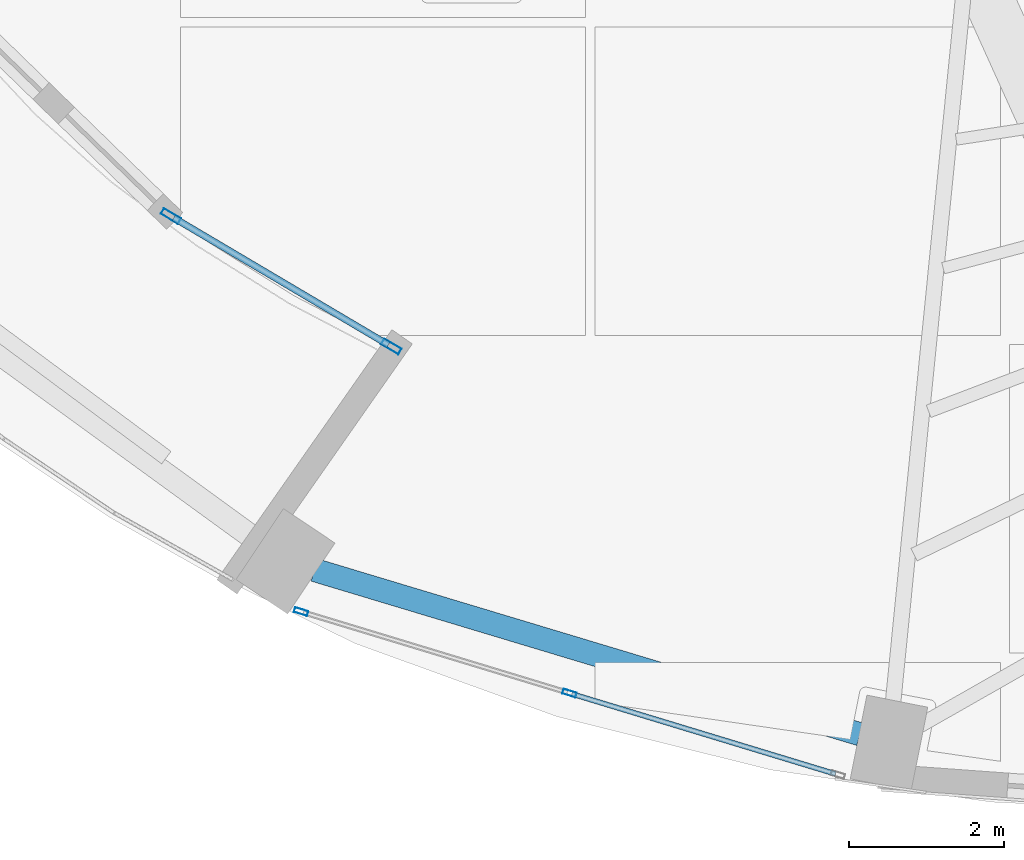
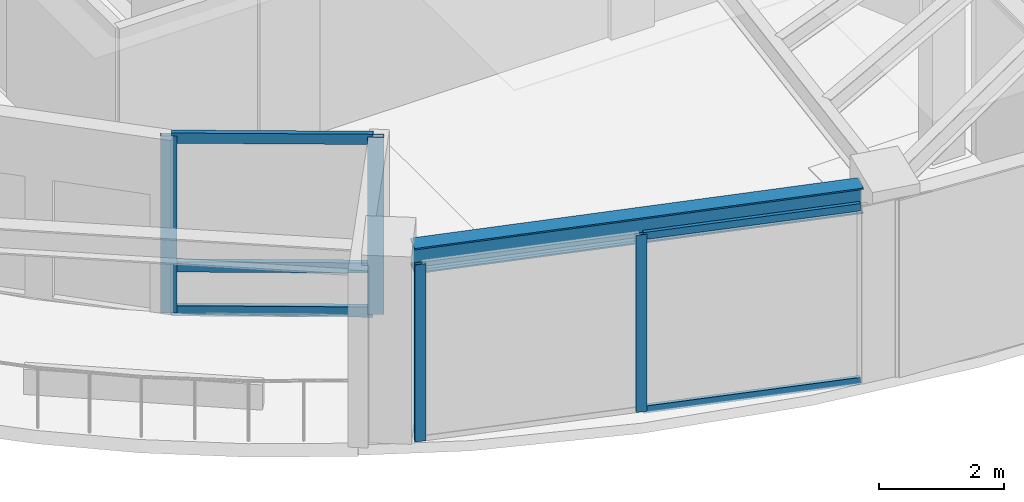
# One storey, part 2 of 21: 9 members, 1 beam, 2 elements without a shape of their own.
"""IFC4 building model written with IfcOpenShell, lengths in metres."""

from ifc_helpers import new_model, si_unit, direction, frame, origin, origin_2d, place, context, subcontext, project, spatial, hollow_rectangle, i_section, extrude, material, layer, layer_set, material_profile, profile_set, type_object, element, aggregate, save


model = new_model("IFC4")

# Units and contexts
model_context = context("Model", 3, precision=1e-05, world=origin(), true_north=direction((0.0, 1.0)))
body_context = subcontext(model_context, "Body", "Model", "MODEL_VIEW")
ifc_project = project(units=[si_unit("LENGTHUNIT", "METRE"), si_unit("AREAUNIT", "SQUARE_METRE"), si_unit("VOLUMEUNIT", "CUBIC_METRE"), si_unit("PLANEANGLEUNIT", "RADIAN"), si_unit("MASSUNIT", "GRAM", prefix="KILO")], contexts=[model_context])

# Site, building, storey
site_placement = place(None, origin())
site = spatial("IfcSite", under=ifc_project, at=site_placement, CompositionType="ELEMENT")
building_placement = place(site_placement, origin())
building = spatial("IfcBuilding", under=site, at=building_placement, Name="Lazwardi Medical Tower", CompositionType="ELEMENT")
storey_placement = place(building_placement, frame((0.0, 0.0, 216.719970703125)))
storey = spatial("IfcBuildingStorey", under=building, at=storey_placement, Name="L56", CompositionType="ELEMENT", Elevation=216.719970703125)

# Beam
ifc_material_1 = material(Name="Steel S355", Category="steel")
ifc_material_profile_1 = material_profile(ifc_material_1, i_section(OverallWidth=0.300048828125, OverallDepth=0.5, WebThickness=0.014404296875, FlangeThickness=0.028076171875, at=origin_2d()), Name="HEB 500")
ifc_profile_set_1 = profile_set([ifc_material_profile_1], Name="Steel S355")
beam_type = type_object("IfcBeamType", Name="BM-RB-Z4", PredefinedType="BEAM", material=ifc_profile_set_1)
beam_placement = place(storey_placement, frame((24.373046875, 12.43359375, 3.197998046875), z_axis=(0.957544311906, -0.288286126506, 0.0), x_axis=(0.288286126506, 0.957544311906, 0.0)))
element("IfcBeam", 1, at=beam_placement, inside=storey, type_object=beam_type, Name="Ring beam RB-05 B15 L56", PredefinedType="BEAM", context=body_context, shape_type="SweptSolid", body=[
    extrude(i_section(OverallWidth=0.300048828125, OverallDepth=0.5, WebThickness=0.014404296875, FlangeThickness=0.028076171875, at=origin_2d()), origin(), (0.0, 0.0, 1.0), 7.3515625),
])

# Curtain wall, members
ifc_material_2 = material(Name="Anodised bronze aluminium and solar control glazing", Category="aluminium")
ifc_layer_1 = layer(ifc_material_2, 0.239990234375)
ifc_layer_set_1 = layer_set([ifc_layer_1], Name="Anodised bronze aluminium and solar control glazing")
curtain_wall_type_1 = type_object("IfcCurtainWallType", Name="CW-SYS-05", PredefinedType="NOTDEFINED", material=ifc_layer_set_1)
curtain_wall_1_placement = place(storey_placement, origin())
curtain_wall_1 = element("IfcCurtainWall", 2, at=curtain_wall_1_placement, inside=storey, type_object=curtain_wall_type_1, Name="L56 Unitised bronze curtain wall CW-05", PredefinedType="NOTDEFINED")
ifc_material_3 = material(Name="Anodised bronze aluminium", Category="aluminium")
ifc_material_profile_2 = material_profile(ifc_material_3, hollow_rectangle(XDim=0.0849609375, YDim=0.260009765625, WallThickness=0.0048828125, at=origin_2d()), Name="ALU-MULLION 260x85x5")
ifc_profile_set_2 = profile_set([ifc_material_profile_2], Name="Anodised bronze aluminium")
member_type_1 = type_object("IfcMemberType", Name="CW-MUL-02", PredefinedType="MULLION", material=ifc_profile_set_2)
member_1_placement = place(storey_placement, frame((22.521240234375, 16.998779296875, 0.0), z_axis=(0.0, 0.0, 1.0), x_axis=(0.509273159137, 0.860604932232, 0.0)))
member_1 = element("IfcMember", 3, at=member_1_placement, type_object=member_type_1, Name="CW-05 mullion 1", PredefinedType="MULLION", context=body_context, shape_type="SweptSolid", body=[
    extrude(hollow_rectangle(XDim=0.0849609375, YDim=0.260009765625, WallThickness=0.0048828125, at=origin_2d()), origin(), (0.0, 0.0, 1.0), 3.447998046875),
])
member_2_placement = place(storey_placement, frame((25.36376953125, 15.316650390625, 0.0), z_axis=(0.0, 0.0, 1.0), x_axis=(0.509273159137, 0.860604932232, 0.0)))
member_2 = element("IfcMember", 4, at=member_2_placement, type_object=member_type_1, Name="CW-05 mullion 2", PredefinedType="MULLION", context=body_context, shape_type="SweptSolid", body=[
    extrude(hollow_rectangle(XDim=0.0849609375, YDim=0.260009765625, WallThickness=0.0048828125, at=origin_2d()), origin(), (0.0, 0.0, 1.0), 3.447998046875),
])

ifc_layer_2 = layer(ifc_material_2, 0.18994140625)
ifc_layer_set_2 = layer_set([ifc_layer_2], Name="Anodised bronze aluminium and solar control glazing")
curtain_wall_type_2 = type_object("IfcCurtainWallType", Name="CW-SYS-04", PredefinedType="NOTDEFINED", material=ifc_layer_set_2)
curtain_wall_2_placement = place(storey_placement, origin())
curtain_wall_2 = element("IfcCurtainWall", 5, at=curtain_wall_2_placement, inside=storey, type_object=curtain_wall_type_2, Name="L56 Unitised bronze curtain wall CW-04", PredefinedType="NOTDEFINED")
ifc_material_profile_3 = material_profile(ifc_material_3, hollow_rectangle(XDim=0.06494140625, YDim=0.179931640625, WallThickness=0.00390625, at=origin_2d()), Name="ALU-MULLION 180x65x4")
ifc_profile_set_3 = profile_set([ifc_material_profile_3], Name="Anodised bronze aluminium")
member_type_2 = type_object("IfcMemberType", Name="CW-MUL-03", PredefinedType="MULLION", material=ifc_profile_set_3)
member_3_placement = place(storey_placement, frame((24.2001953125, 11.896484375, 0.0), z_axis=(0.0, 0.0, 1.0), x_axis=(0.290581889515, 0.956850126972, 0.0)))
member_3 = element("IfcMember", 6, at=member_3_placement, type_object=member_type_2, Name="CW-04 mullion 1", PredefinedType="MULLION", context=body_context, shape_type="SweptSolid", body=[
    extrude(hollow_rectangle(XDim=0.06494140625, YDim=0.179931640625, WallThickness=0.00390625, at=origin_2d()), origin(), (0.0, 0.0, 1.0), 3.447998046875),
])
member_4_placement = place(storey_placement, frame((27.66357421875, 10.8447265625, 0.0), z_axis=(0.0, 0.0, 1.0), x_axis=(0.290581889515, 0.956850126972, 0.0)))
member_4 = element("IfcMember", 7, at=member_4_placement, type_object=member_type_2, Name="CW-04 mullion 2", PredefinedType="MULLION", context=body_context, shape_type="SweptSolid", body=[
    extrude(hollow_rectangle(XDim=0.06494140625, YDim=0.179931640625, WallThickness=0.00390625, at=origin_2d()), origin(), (0.0, 0.0, 1.0), 3.447998046875),
])

# Member
ifc_material_profile_4 = material_profile(ifc_material_3, hollow_rectangle(XDim=0.0849609375, YDim=0.199951171875, WallThickness=0.00439453125, at=origin_2d()), Name="ALU-TRANSOM 200x85x4.5")
ifc_profile_set_4 = profile_set([ifc_material_profile_4], Name="Anodised bronze aluminium")
member_type_3 = type_object("IfcMemberType", Name="CW-TRN-02", PredefinedType="USERDEFINED", material=ifc_profile_set_4)
member_5_placement = place(storey_placement, frame((22.557861328125, 16.977294921875, 0.04248046875), z_axis=(0.860583469313, -0.509309426915, 0.0), x_axis=(0.509309426915, 0.860583469313, 0.0)))
member_5 = element("IfcMember", 8, at=member_5_placement, type_object=member_type_3, Name="CW-05 transom 1.1", ObjectType="TRANSOM", PredefinedType="USERDEFINED", context=body_context, shape_type="SweptSolid", body=[
    extrude(hollow_rectangle(XDim=0.0849609375, YDim=0.199951171875, WallThickness=0.00439453125, at=origin_2d()), origin(), (0.0, 0.0, 1.0), 3.218017578125),
])

member_6_placement = place(storey_placement, frame((22.557861328125, 16.977294921875, 0.900146484375), z_axis=(0.860583469313, -0.509309426915, 0.0), x_axis=(0.509309426915, 0.860583469313, 0.0)))
member_6 = element("IfcMember", 9, at=member_6_placement, type_object=member_type_3, Name="CW-05 transom 1.2", ObjectType="TRANSOM", PredefinedType="USERDEFINED", context=body_context, shape_type="SweptSolid", body=[
    extrude(hollow_rectangle(XDim=0.0849609375, YDim=0.199951171875, WallThickness=0.00439453125, at=origin_2d()), origin(), (0.0, 0.0, 1.0), 3.218017578125),
])

member_7_placement = place(storey_placement, frame((22.557861328125, 16.977294921875, 3.405517578125), z_axis=(0.860583469313, -0.509309426915, 0.0), x_axis=(0.509309426915, 0.860583469313, 0.0)))
member_7 = element("IfcMember", 10, at=member_7_placement, type_object=member_type_3, Name="CW-05 transom 1.3", ObjectType="TRANSOM", PredefinedType="USERDEFINED", context=body_context, shape_type="SweptSolid", body=[
    extrude(hollow_rectangle(XDim=0.0849609375, YDim=0.199951171875, WallThickness=0.00439453125, at=origin_2d()), origin(), (0.0, 0.0, 1.0), 3.218017578125),
])

aggregate(curtain_wall_1, [member_1, member_2, member_5, member_6, member_7])

ifc_material_profile_5 = material_profile(ifc_material_3, hollow_rectangle(XDim=0.06494140625, YDim=0.139892578125, WallThickness=0.00341796875, at=origin_2d()), Name="ALU-TRANSOM 140x65x3.5")
ifc_profile_set_5 = profile_set([ifc_material_profile_5], Name="Anodised bronze aluminium")
member_type_4 = type_object("IfcMemberType", Name="CW-TRN-03", PredefinedType="USERDEFINED", material=ifc_profile_set_5)
member_8_placement = place(storey_placement, frame((27.694580078125, 10.835205078125, 0.032470703125), z_axis=(0.956862505902, -0.290541124109, 0.0), x_axis=(0.290541124109, 0.956862505902, 0.0)))
member_8 = element("IfcMember", 11, at=member_8_placement, type_object=member_type_4, Name="CW-04 transom 2.1", ObjectType="TRANSOM", PredefinedType="USERDEFINED", context=body_context, shape_type="SweptSolid", body=[
    extrude(hollow_rectangle(XDim=0.06494140625, YDim=0.139892578125, WallThickness=0.00341796875, at=origin_2d()), origin(), (0.0, 0.0, 1.0), 3.554443359375),
])

member_9_placement = place(storey_placement, frame((27.694580078125, 10.835205078125, 3.41552734375), z_axis=(0.956862505902, -0.290541124109, 0.0), x_axis=(0.290541124109, 0.956862505902, 0.0)))
member_9 = element("IfcMember", 12, at=member_9_placement, type_object=member_type_4, Name="CW-04 transom 2.2", ObjectType="TRANSOM", PredefinedType="USERDEFINED", context=body_context, shape_type="SweptSolid", body=[
    extrude(hollow_rectangle(XDim=0.06494140625, YDim=0.139892578125, WallThickness=0.00341796875, at=origin_2d()), origin(), (0.0, 0.0, 1.0), 3.554443359375),
])

aggregate(curtain_wall_2, [member_3, member_4, member_8, member_9])

save(model, "model.ifc")
